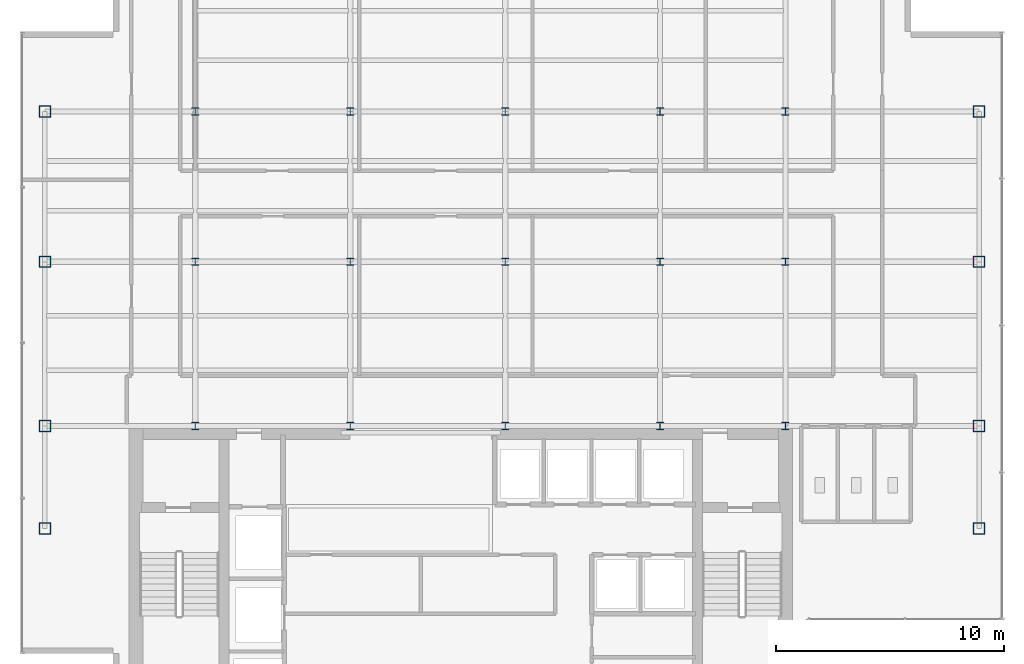
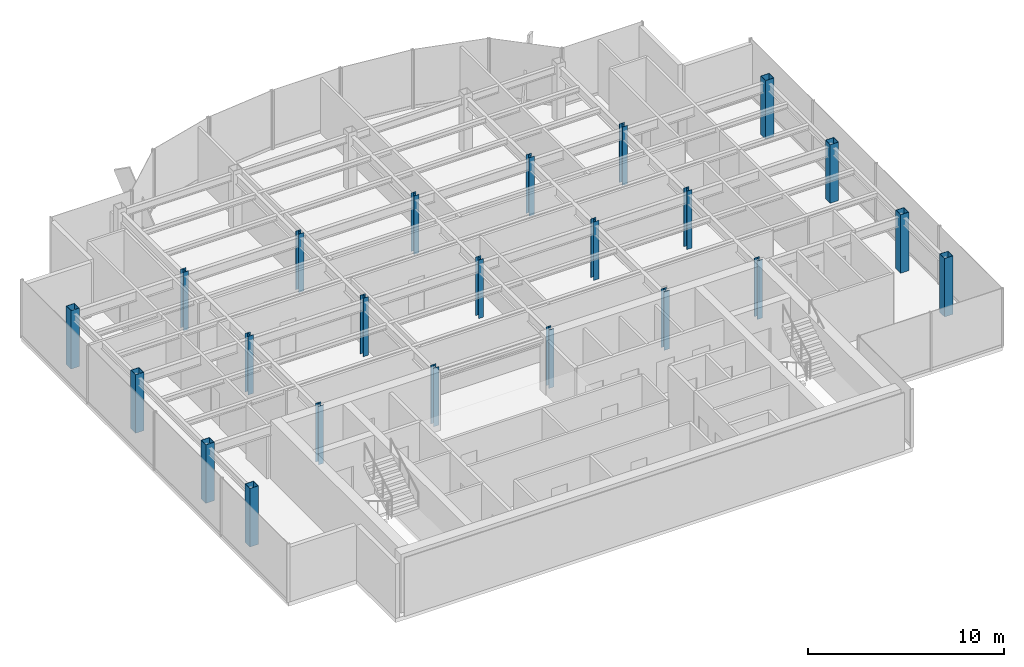
# One storey, part 1 of 22: 23 columns.
"""IFC4 building model written with IfcOpenShell, lengths in metres."""

from ifc_helpers import new_model, si_unit, derived_unit, direction, frame, origin, origin_2d, place, context, subcontext, project, spatial, hollow_rectangle, i_section, extrude, source, transform, mapped, material, material_profile, profile_set, type_object, element, save


model = new_model("IFC4")

# Units and contexts
model_context = context("Model", 3, precision=1e-05, world=origin(), true_north=direction((0.0, 1.0)))
body_context = subcontext(model_context, "Body", "Model", "MODEL_VIEW")
ifc_project = project(units=[si_unit("LENGTHUNIT", "METRE"), si_unit("AREAUNIT", "SQUARE_METRE"), si_unit("VOLUMEUNIT", "CUBIC_METRE"), si_unit("PLANEANGLEUNIT", "RADIAN"), si_unit("MASSUNIT", "GRAM", prefix="KILO"), derived_unit("THERMALTRANSMITTANCEUNIT", [(si_unit("POWERUNIT", "WATT"), 1), (si_unit("LENGTHUNIT", "METRE"), -2), (si_unit("THERMODYNAMICTEMPERATUREUNIT", "KELVIN"), -1)])], contexts=[model_context])

# Site, building, storey
site_placement = place(None, origin())
site = spatial("IfcSite", under=ifc_project, at=site_placement, CompositionType="ELEMENT")
building_placement = place(site_placement, origin())
building = spatial("IfcBuilding", under=site, at=building_placement, Name="Skarnbrae Concourse Arena and Tower", CompositionType="ELEMENT")
storey_placement = place(building_placement, frame((0.0, 0.0, 251.5)))
storey = spatial("IfcBuildingStorey", under=building, at=storey_placement, Name="L65", CompositionType="ELEMENT", Elevation=251.5)

# Columns
ifc_material = material(Name="Steel CSA G40.21 350W", Category="steel")
ifc_material_profile_1 = material_profile(ifc_material, hollow_rectangle(XDim=0.5, YDim=0.5, WallThickness=0.02197265625, at=origin_2d()), Name="HSS500X500X22.0")
ifc_profile_set_1 = profile_set([ifc_material_profile_1], Name="Steel CSA G40.21 350W")
column_type_1 = type_object("IfcColumnType", Name="COL-TUBE-HSS500", PredefinedType="COLUMN", material=ifc_profile_set_1)
shared_shape_1 = source(origin(), body_context, "Body", "SweptSolid", [
    extrude(hollow_rectangle(XDim=0.5, YDim=0.5, WallThickness=0.02197265625, at=origin_2d()), origin(), (0.0, 0.0, 1.0), 3.64990234375),
])
for number, where, z_axis, x_axis, name in (
    (1, (1.0, 9.5, 0.0), (0.0, 0.0, 1.0), (1.0, 0.0, 0.0), "L65 Tower column PC_01_01"),
    (2, (1.0, 14.0, 0.0), (0.0, 0.0, 1.0), (1.0, 0.0, 0.0), "L65 Tower column PC_01_02"),
    (3, (1.0, 21.199951171875, 0.0), (0.0, 0.0, 1.0), (1.0, 0.0, 0.0), "L65 Tower column PC_01_03"),
    (4, (1.0, 27.800048828125, 0.0), (0.0, 0.0, 1.0), (1.0, 0.0, 0.0), "L65 Tower column PC_01_04"),
    (5, (42.0, 9.5, 0.0), (0.0, 0.0, 1.0), (1.0, 0.0, 0.0), "L65 Tower column PC_07_01"),
    (6, (42.0, 14.0, 0.0), (0.0, 0.0, 1.0), (1.0, 0.0, 0.0), "L65 Tower column PC_07_02"),
    (7, (42.0, 21.199951171875, 0.0), (0.0, 0.0, 1.0), (1.0, 0.0, 0.0), "L65 Tower column PC_07_03"),
    (8, (42.0, 27.800048828125, 0.0), (0.0, 0.0, 1.0), (1.0, 0.0, 0.0), "L65 Tower column PC_07_04"),
):
    element("IfcColumn", number, at=place(storey_placement, frame(where, z_axis=z_axis, x_axis=x_axis)), inside=storey, type_object=column_type_1, Name=name, PredefinedType="COLUMN", context=body_context, shape_type="MappedRepresentation", body=[
        mapped(shared_shape_1, transform((0.0, 0.0, 0.0))),
    ])
ifc_material_profile_2 = material_profile(ifc_material, i_section(OverallWidth=0.30908203125, OverallDepth=0.322998046875, WebThickness=0.013916015625, FlangeThickness=0.02294921875, at=origin_2d()), Name="W310X143")
ifc_profile_set_2 = profile_set([ifc_material_profile_2], Name="Steel CSA G40.21 350W")
column_type_2 = type_object("IfcColumnType", Name="COL-INT-W310X143", PredefinedType="COLUMN", material=ifc_profile_set_2)
shared_shape_2 = source(origin(), body_context, "Body", "SweptSolid", [
    extrude(i_section(OverallWidth=0.30908203125, OverallDepth=0.322998046875, WebThickness=0.013916015625, FlangeThickness=0.02294921875, at=origin_2d()), origin(), (0.0, 0.0, 1.0), 3.64990234375),
])
for number, where, z_axis, x_axis, name in (
    (9, (7.60009765625, 14.0, 0.0), (0.0, 0.0, 1.0), (1.0, 0.0, 0.0), "L65 Tower column IC_02_02"),
    (10, (7.60009765625, 21.199951171875, 0.0), (0.0, 0.0, 1.0), (1.0, 0.0, 0.0), "L65 Tower column IC_02_03"),
    (11, (7.60009765625, 27.800048828125, 0.0), (0.0, 0.0, 1.0), (1.0, 0.0, 0.0), "L65 Tower column IC_02_04"),
    (12, (14.39990234375, 14.0, 0.0), (0.0, 0.0, 1.0), (1.0, 0.0, 0.0), "L65 Tower column IC_03_02"),
    (13, (14.39990234375, 21.199951171875, 0.0), (0.0, 0.0, 1.0), (1.0, 0.0, 0.0), "L65 Tower column IC_03_03"),
    (14, (14.39990234375, 27.800048828125, 0.0), (0.0, 0.0, 1.0), (1.0, 0.0, 0.0), "L65 Tower column IC_03_04"),
    (15, (21.199951171875, 14.0, 0.0), (0.0, 0.0, 1.0), (1.0, 0.0, 0.0), "L65 Tower column IC_04_02"),
    (16, (21.199951171875, 21.199951171875, 0.0), (0.0, 0.0, 1.0), (1.0, 0.0, 0.0), "L65 Tower column IC_04_03"),
    (17, (21.199951171875, 27.800048828125, 0.0), (0.0, 0.0, 1.0), (1.0, 0.0, 0.0), "L65 Tower column IC_04_04"),
    (18, (28.0, 14.0, 0.0), (0.0, 0.0, 1.0), (1.0, 0.0, 0.0), "L65 Tower column IC_05_02"),
    (19, (28.0, 21.199951171875, 0.0), (0.0, 0.0, 1.0), (1.0, 0.0, 0.0), "L65 Tower column IC_05_03"),
    (20, (28.0, 27.800048828125, 0.0), (0.0, 0.0, 1.0), (1.0, 0.0, 0.0), "L65 Tower column IC_05_04"),
    (21, (33.5, 14.0, 0.0), (0.0, 0.0, 1.0), (1.0, 0.0, 0.0), "L65 Tower column IC_06_02"),
    (22, (33.5, 21.199951171875, 0.0), (0.0, 0.0, 1.0), (1.0, 0.0, 0.0), "L65 Tower column IC_06_03"),
    (23, (33.5, 27.800048828125, 0.0), (0.0, 0.0, 1.0), (1.0, 0.0, 0.0), "L65 Tower column IC_06_04"),
):
    element("IfcColumn", number, at=place(storey_placement, frame(where, z_axis=z_axis, x_axis=x_axis)), inside=storey, type_object=column_type_2, Name=name, PredefinedType="COLUMN", context=body_context, shape_type="MappedRepresentation", body=[
        mapped(shared_shape_2, transform((0.0, 0.0, 0.0))),
    ])

save(model, "model.ifc")
